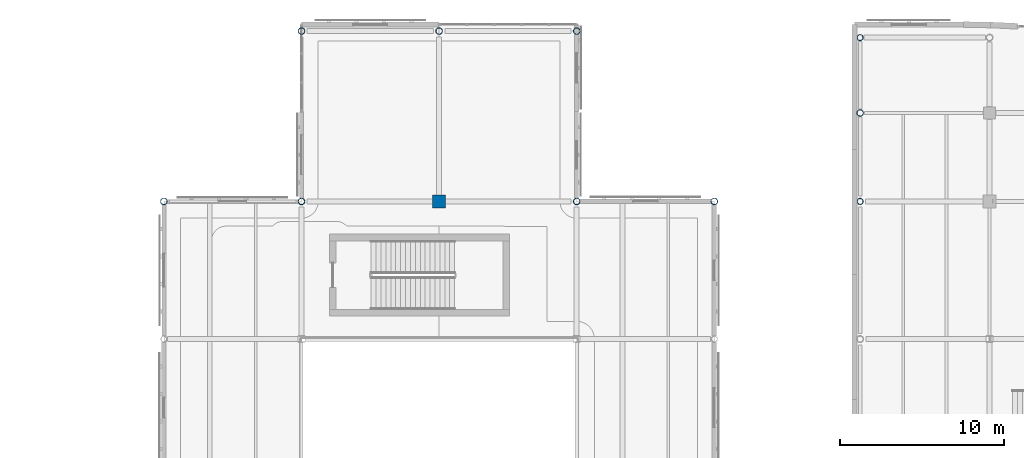
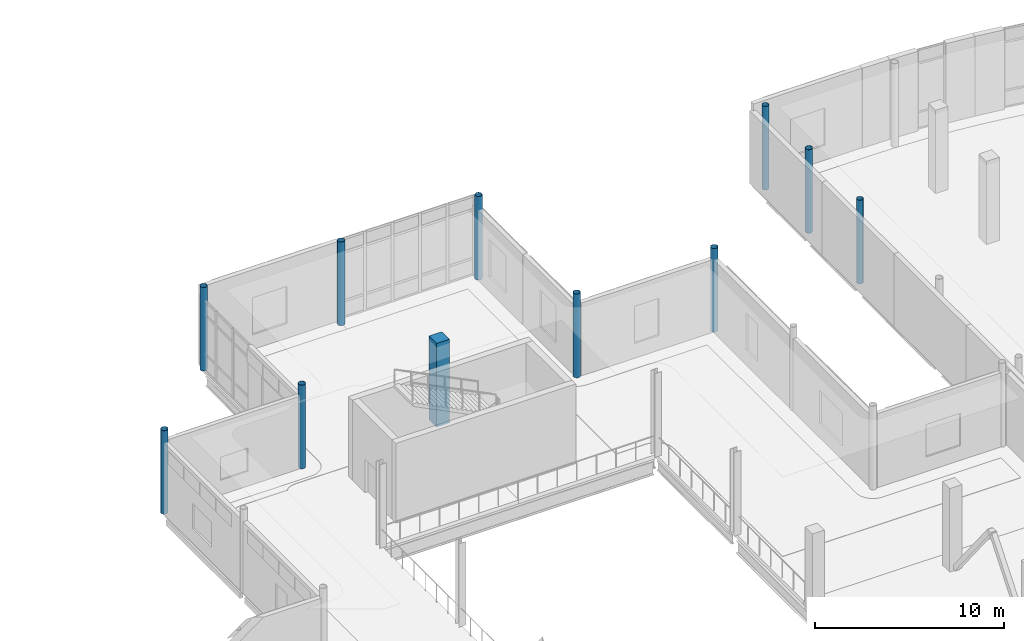
# One storey, part 10 of 110: 11 columns.
"""IFC4 building model written with IfcOpenShell, lengths in metres."""

from ifc_helpers import new_model, si_unit, direction, frame, origin, origin_2d, place, context, subcontext, project, spatial, rectangle, hollow_circle, extrude, material, material_profile, profile_set, type_object, element, save


model = new_model("IFC4")

# Units and contexts
model_context = context("Model", 3, precision=1e-05, world=origin(), true_north=direction((0.0, 1.0)))
body_context = subcontext(model_context, "Body", "Model", "MODEL_VIEW")
ifc_project = project(units=[si_unit("LENGTHUNIT", "METRE"), si_unit("AREAUNIT", "SQUARE_METRE"), si_unit("VOLUMEUNIT", "CUBIC_METRE"), si_unit("PLANEANGLEUNIT", "RADIAN"), si_unit("MASSUNIT", "GRAM", prefix="KILO"), si_unit("THERMODYNAMICTEMPERATUREUNIT", "KELVIN")], contexts=[model_context])

# Site, building, storey
site_placement = place(None, origin())
site = spatial("IfcSite", under=ifc_project, at=site_placement, CompositionType="ELEMENT")
building_placement = place(site_placement, origin())
building = spatial("IfcBuilding", under=site, at=building_placement, Name="Lustrewick Department Store", CompositionType="ELEMENT")
storey_placement = place(building_placement, frame((0.0, 0.0, 6.0)))
storey = spatial("IfcBuildingStorey", under=building, at=storey_placement, Name="L02", CompositionType="ELEMENT", Elevation=6.0)

# Columns
ifc_material_1 = material(Name="Concrete C40", Category="concrete")
ifc_material_profile_1 = material_profile(ifc_material_1, rectangle(XDim=0.800048828125, YDim=0.800048828125, at=origin_2d()), Name="RC 800x800")
ifc_profile_set_1 = profile_set([ifc_material_profile_1], Name="Concrete C40")
column_type_1 = type_object("IfcColumnType", Name="C19", PredefinedType="COLUMN", material=ifc_profile_set_1)
column_placement = place(storey_placement, frame((84.0, 100.800048828125, 0.0), z_axis=(0.0, 0.0, 1.0), x_axis=(1.0, 0.0, 0.0)))
element("IfcColumn", 1, at=column_placement, inside=storey, type_object=column_type_1, Name="L02 V2 Column C19", PredefinedType="COLUMN", context=body_context, shape_type="SweptSolid", body=[
    extrude(rectangle(XDim=0.800048828125, YDim=0.800048828125, at=origin_2d()), origin(), (0.0, 0.0, 1.0), 5.39990234375),
])
ifc_material_2 = material(Name="Structural steel Q355C", Category="steel")
ifc_material_profile_2 = material_profile(ifc_material_2, hollow_circle(Radius=0.202880859375, WallThickness=0.01611328125, at=origin_2d()), Name="CHS 406x16")
ifc_profile_set_2 = profile_set([ifc_material_profile_2], Name="Structural steel Q355C")
column_type_2 = type_object("IfcColumnType", Name="CE03", PredefinedType="COLUMN", material=ifc_profile_set_2)
for number, where, z_axis, x_axis, name in (
    (2, (67.199951171875, 100.800048828125, 0.0), (0.0, 0.0, 1.0), (1.0, 0.0, 0.0), "L02 V2 Column CE03"),
    (3, (75.60009765625, 100.800048828125, 0.0), (0.0, 0.0, 1.0), (1.0, 0.0, 0.0), "L02 V2 Column CE03"),
    (4, (75.60009765625, 111.199951171875, 0.0), (0.0, 0.0, 1.0), (1.0, 0.0, 0.0), "L02 V2 Column CE03"),
    (5, (84.0, 111.199951171875, 0.0), (0.0, 0.0, 1.0), (1.0, 0.0, 0.0), "L02 V2 Column CE03"),
    (6, (92.39990234375, 100.800048828125, 0.0), (0.0, 0.0, 1.0), (1.0, 0.0, 0.0), "L02 V2 Column CE03"),
    (7, (92.39990234375, 111.199951171875, 0.0), (0.0, 0.0, 1.0), (1.0, 0.0, 0.0), "L02 V2 Column CE03"),
    (8, (100.800048828125, 100.800048828125, 0.0), (0.0, 0.0, 1.0), (1.0, 0.0, 0.0), "L02 V2 Column CE03"),
    (9, (109.699951171875, 106.199951171875, 0.0), (0.0, 0.0, 1.0), (1.0, 0.0, 0.0), "L02 V4 Column CE03"),
):
    element("IfcColumn", number, at=place(storey_placement, frame(where, z_axis=z_axis, x_axis=x_axis)), inside=storey, type_object=column_type_2, Name=name, PredefinedType="COLUMN", context=body_context, shape_type="SweptSolid", body=[
        extrude(hollow_circle(Radius=0.202880859375, WallThickness=0.01611328125, at=origin_2d()), origin(), (0.0, 0.0, 1.0), 5.39990234375),
    ])
ifc_material_3 = material(Name="Structural steel Q355B", Category="steel")
ifc_material_profile_3 = material_profile(ifc_material_3, hollow_circle(Radius=0.1884765625, WallThickness=0.013916015625, at=origin_2d()), Name="CHS 377x14")
ifc_profile_set_3 = profile_set([ifc_material_profile_3], Name="Structural steel Q355B")
column_type_3 = type_object("IfcColumnType", Name="CE04", PredefinedType="COLUMN", material=ifc_profile_set_3)
for number, where, z_axis, x_axis, name in (
    (10, (109.699951171875, 100.800048828125, 0.0), (0.0, 0.0, 1.0), (1.0, 0.0, 0.0), "L02 V4 Column CE04"),
    (11, (109.699951171875, 110.800048828125, 0.0), (0.0, 0.0, 1.0), (1.0, 0.0, 0.0), "L02 V4 Column CE04"),
):
    element("IfcColumn", number, at=place(storey_placement, frame(where, z_axis=z_axis, x_axis=x_axis)), inside=storey, type_object=column_type_3, Name=name, PredefinedType="COLUMN", context=body_context, shape_type="SweptSolid", body=[
        extrude(hollow_circle(Radius=0.1884765625, WallThickness=0.013916015625, at=origin_2d()), origin(), (0.0, 0.0, 1.0), 5.39990234375),
    ])

save(model, "model.ifc")
